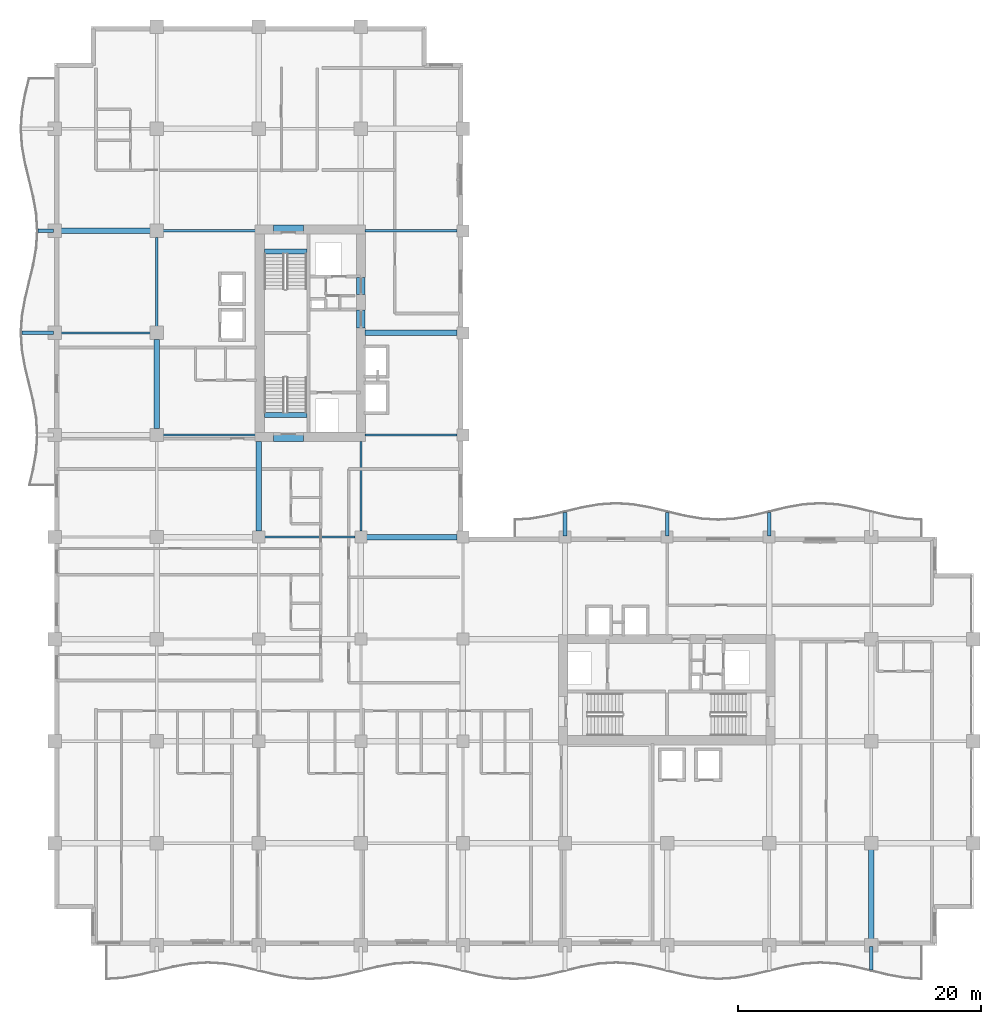
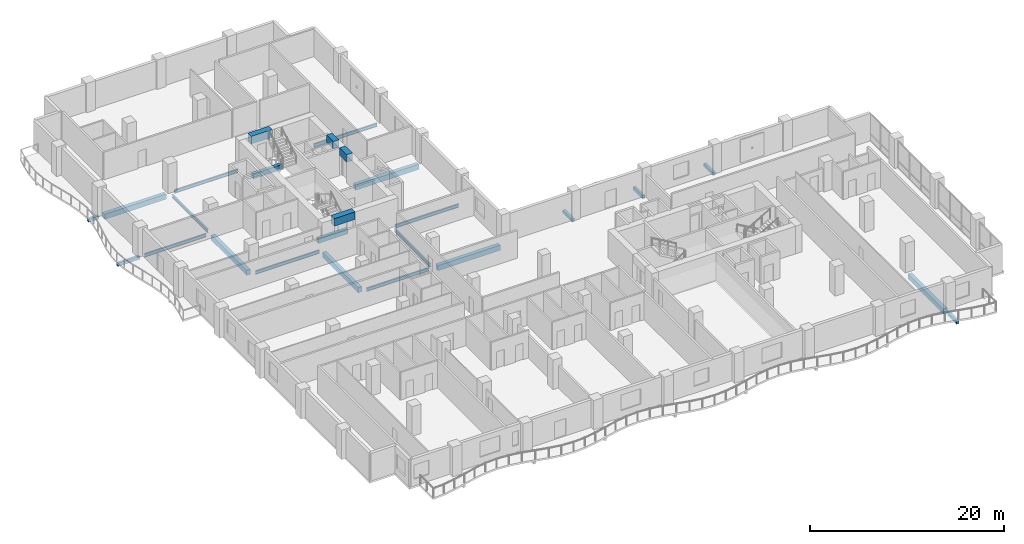
# One storey, part 2 of 22: 26 beams.
"""IFC4 building model written with IfcOpenShell, lengths in metres."""

from ifc_helpers import new_model, si_unit, direction, frame, origin, origin_2d, place, context, subcontext, project, spatial, rectangle, i_section, extrude, material, material_profile, profile_set, type_object, element, save


model = new_model("IFC4")

# Units and contexts
model_context = context("Model", 3, precision=1e-05, world=origin(), true_north=direction((0.0, 1.0)))
body_context = subcontext(model_context, "Body", "Model", "MODEL_VIEW")
ifc_project = project(units=[si_unit("LENGTHUNIT", "METRE"), si_unit("AREAUNIT", "SQUARE_METRE"), si_unit("VOLUMEUNIT", "CUBIC_METRE"), si_unit("PLANEANGLEUNIT", "RADIAN"), si_unit("MASSUNIT", "GRAM", prefix="KILO")], contexts=[model_context])

# Site, building, storey
site_placement = place(None, origin())
site = spatial("IfcSite", under=ifc_project, at=site_placement, CompositionType="ELEMENT")
building_placement = place(site_placement, origin())
building = spatial("IfcBuilding", under=site, at=building_placement, Name="Koriwani Terraces Tower", CompositionType="ELEMENT")
storey_placement = place(building_placement, frame((0.0, 0.0, 182.800048828125)))
storey = spatial("IfcBuildingStorey", under=building, at=storey_placement, Name="L44", CompositionType="ELEMENT", Elevation=182.800048828125)

# Beams
ifc_material_1 = material(Name="Concrete C40/50", Category="concrete")
ifc_material_profile_1 = material_profile(ifc_material_1, rectangle(XDim=0.300048828125, YDim=0.39990234375, at=origin_2d()), Name="Concrete C40/50", Category="LoadBearing")
ifc_profile_set_1 = profile_set([ifc_material_profile_1], Name="Concrete C40/50")
beam_type_1 = type_object("IfcBeamType", Name="BEAM_RC_BALCONY_RIB_300X400", PredefinedType="JOIST", material=ifc_profile_set_1)
beam_1_placement = place(storey_placement, frame((67.199951171875, -2.02490234375, -0.429931640625), z_axis=(0.0, 1.0, 0.0), x_axis=(-1.0, 0.0, 0.0)))
element("IfcBeam", 1, at=beam_1_placement, inside=storey, type_object=beam_type_1, Name="L44 Balcony Bracket Rib S-8", PredefinedType="JOIST", context=body_context, shape_type="SweptSolid", body=[
    extrude(rectangle(XDim=0.300048828125, YDim=0.39990234375, at=origin_2d()), origin(), (0.0, 0.0, 1.0), 1.9248046875),
])
beam_2_placement = place(storey_placement, frame((-2.699951171875, 50.39990234375, -0.429931640625), z_axis=(1.0, 0.0, 0.0), x_axis=(0.0, 1.0, 0.0)))
element("IfcBeam", 2, at=beam_2_placement, inside=storey, type_object=beam_type_1, Name="L44 Balcony Bracket Rib W-2", PredefinedType="JOIST", context=body_context, shape_type="SweptSolid", body=[
    extrude(rectangle(XDim=0.300048828125, YDim=0.39990234375, at=origin_2d()), origin(), (0.0, 0.0, 1.0), 2.599853515625),
])
beam_3_placement = place(storey_placement, frame((-1.35009765625, 58.800048828125, -0.429931640625), z_axis=(1.0, 0.0, 0.0), x_axis=(0.0, 1.0, 0.0)))
element("IfcBeam", 3, at=beam_3_placement, inside=storey, type_object=beam_type_1, Name="L44 Balcony Bracket Rib W-3", PredefinedType="JOIST", context=body_context, shape_type="SweptSolid", body=[
    extrude(rectangle(XDim=0.300048828125, YDim=0.39990234375, at=origin_2d()), origin(), (0.0, 0.0, 1.0), 1.25),
])
for number, where, z_axis, x_axis, name in (
    (4, (42.0, 33.699951171875, -0.429931640625), (0.0, 1.0, 0.0), (-1.0, 0.0, 0.0), "L44 Balcony Bracket Rib NE-1"),
    (5, (50.39990234375, 33.699951171875, -0.429931640625), (0.0, 1.0, 0.0), (-1.0, 0.0, 0.0), "L44 Balcony Bracket Rib NE-2"),
    (6, (58.800048828125, 33.699951171875, -0.429931640625), (0.0, 1.0, 0.0), (-1.0, 0.0, 0.0), "L44 Balcony Bracket Rib NE-3"),
):
    element("IfcBeam", number, at=place(storey_placement, frame(where, z_axis=z_axis, x_axis=x_axis)), inside=storey, type_object=beam_type_1, Name=name, PredefinedType="JOIST", context=body_context, shape_type="SweptSolid", body=[
        extrude(rectangle(XDim=0.300048828125, YDim=0.39990234375, at=origin_2d()), origin(), (0.0, 0.0, 1.0), 1.925048828125),
    ])
ifc_material_2 = material(Name="Concrete C60/75", Category="concrete")
ifc_material_profile_2 = material_profile(ifc_material_2, rectangle(XDim=0.699951171875, YDim=0.949951171875, at=origin_2d()), Name="Concrete C60/75", Category="LoadBearing")
ifc_profile_set_2 = profile_set([ifc_material_profile_2], Name="Concrete C60/75")
beam_type_2 = type_object("IfcBeamType", Name="BEAM_RC_COUPLING_700X950", PredefinedType="LINTEL", material=ifc_profile_set_2)
beam_4_placement = place(storey_placement, frame((25.199951171875, 50.800048828125, 2.994873046875), z_axis=(0.0, 1.0, 0.0), x_axis=(-1.0, 0.0, 0.0)))
element("IfcBeam", 7, at=beam_4_placement, inside=storey, type_object=beam_type_2, Name="L44 Core Coupling Lintel Beam WE1", PredefinedType="LINTEL", context=body_context, shape_type="SweptSolid", body=[
    extrude(rectangle(XDim=0.699951171875, YDim=0.949951171875, at=origin_2d()), origin(), (0.0, 0.0, 1.0), 1.47998046875),
])
beam_5_placement = place(storey_placement, frame((25.199951171875, 53.550048828125, 2.994873046875), z_axis=(0.0, 1.0, 0.0), x_axis=(-1.0, 0.0, 0.0)))
element("IfcBeam", 8, at=beam_5_placement, inside=storey, type_object=beam_type_2, Name="L44 Core Coupling Lintel Beam WE2", PredefinedType="LINTEL", context=body_context, shape_type="SweptSolid", body=[
    extrude(rectangle(XDim=0.699951171875, YDim=0.949951171875, at=origin_2d()), origin(), (0.0, 0.0, 1.0), 1.39990234375),
])
for number, where, z_axis, x_axis, name in (
    (9, (18.0, 41.824951171875, 2.994873046875), (1.0, 0.0, 0.0), (0.0, 1.0, 0.0), "L44 Core Coupling Lintel Beam WS"),
    (10, (18.0, 58.925048828125, 2.994873046875), (1.0, 0.0, 0.0), (0.0, 1.0, 0.0), "L44 Core Coupling Lintel Beam WN"),
):
    element("IfcBeam", number, at=place(storey_placement, frame(where, z_axis=z_axis, x_axis=x_axis)), inside=storey, type_object=beam_type_2, Name=name, PredefinedType="LINTEL", context=body_context, shape_type="SweptSolid", body=[
        extrude(rectangle(XDim=0.699951171875, YDim=0.949951171875, at=origin_2d()), origin(), (0.0, 0.0, 1.0), 2.5),
    ])
ifc_material_profile_3 = material_profile(ifc_material_1, rectangle(XDim=0.39990234375, YDim=0.60009765625, at=origin_2d()), Name="Concrete C40/50", Category="LoadBearing")
ifc_profile_set_3 = profile_set([ifc_material_profile_3], Name="Concrete C40/50")
beam_type_3 = type_object("IfcBeamType", Name="BEAM_RC_GRID_400X600", PredefinedType="BEAM", material=ifc_profile_set_3)
for number, where, z_axis, x_axis, name in (
    (11, (17.25, 43.655029296875, -0.300048828125), (1.0, 0.0, 0.0), (0.0, 1.0, 0.0), "L44 Stairwell Header Trimmer Beam ST-W1"),
    (12, (17.25, 57.094970703125, -0.300048828125), (1.0, 0.0, 0.0), (0.0, 1.0, 0.0), "L44 Stairwell Header Trimmer Beam ST-W2"),
):
    element("IfcBeam", number, at=place(storey_placement, frame(where, z_axis=z_axis, x_axis=x_axis)), inside=storey, type_object=beam_type_3, Name=name, PredefinedType="BEAM", context=body_context, shape_type="SweptSolid", body=[
        extrude(rectangle(XDim=0.39990234375, YDim=0.60009765625, at=origin_2d()), origin(), (0.0, 0.0, 1.0), 3.5),
    ])
ifc_material_3 = material(Name="Concrete C50/60", Category="concrete")
ifc_material_profile_4 = material_profile(ifc_material_3, rectangle(XDim=0.449951171875, YDim=0.64990234375, at=origin_2d()), Name="Concrete C50/60", Category="LoadBearing")
ifc_profile_set_4 = profile_set([ifc_material_profile_4], Name="Concrete C50/60")
beam_type_4 = type_object("IfcBeamType", Name="BEAM_RC_GRID_450X650", PredefinedType="BEAM", material=ifc_profile_set_4)
beam_6_placement = place(storey_placement, frame((25.679931640625, 33.60009765625, -0.554931640625), z_axis=(1.0, 0.0, 0.0), x_axis=(0.0, 1.0, 0.0)))
element("IfcBeam", 13, at=beam_6_placement, inside=storey, type_object=beam_type_4, Name="L44 Grid Beam E (25.2-33.6m)", PredefinedType="BEAM", context=body_context, shape_type="SweptSolid", body=[
    extrude(rectangle(XDim=0.449951171875, YDim=0.64990234375, at=origin_2d()), origin(), (0.0, 0.0, 1.0), 7.440185546875),
])
beam_7_placement = place(storey_placement, frame((25.554931640625, 50.39990234375, -0.554931640625), z_axis=(1.0, 0.0, 0.0), x_axis=(0.0, 1.0, 0.0)))
element("IfcBeam", 14, at=beam_7_placement, inside=storey, type_object=beam_type_4, Name="L44 Grid Beam G (25.2-33.6m)", PredefinedType="BEAM", context=body_context, shape_type="SweptSolid", body=[
    extrude(rectangle(XDim=0.449951171875, YDim=0.64990234375, at=origin_2d()), origin(), (0.0, 0.0, 1.0), 7.565185546875),
])
for number, where, z_axis, x_axis, name in (
    (15, (0.530029296875, 58.800048828125, -0.554931640625), (1.0, 0.0, 0.0), (0.0, 1.0, 0.0), "L44 Grid Beam H (0.0-8.4m)"),
    (16, (8.39990234375, 42.530029296875, -0.554931640625), (0.0, 1.0, 0.0), (-1.0, 0.0, 0.0), "L44 Grid Beam 2 (42.0-50.4m)"),
):
    element("IfcBeam", number, at=place(storey_placement, frame(where, z_axis=z_axis, x_axis=x_axis)), inside=storey, type_object=beam_type_4, Name=name, PredefinedType="BEAM", context=body_context, shape_type="SweptSolid", body=[
        extrude(rectangle(XDim=0.449951171875, YDim=0.64990234375, at=origin_2d()), origin(), (0.0, 0.0, 1.0), 7.340087890625),
    ])
beam_8_placement = place(storey_placement, frame((16.800048828125, 34.080078125, -0.554931640625), z_axis=(0.0, 1.0, 0.0), x_axis=(-1.0, 0.0, 0.0)))
element("IfcBeam", 17, at=beam_8_placement, inside=storey, type_object=beam_type_4, Name="L44 Grid Beam 3 (33.6-42.0m)", PredefinedType="BEAM", context=body_context, shape_type="SweptSolid", body=[
    extrude(rectangle(XDim=0.449951171875, YDim=0.64990234375, at=origin_2d()), origin(), (0.0, 0.0, 1.0), 7.389892578125),
])
beam_9_placement = place(storey_placement, frame((67.199951171875, 0.530029296875, -0.554931640625), z_axis=(0.0, 1.0, 0.0), x_axis=(-1.0, 0.0, 0.0)))
element("IfcBeam", 18, at=beam_9_placement, inside=storey, type_object=beam_type_4, Name="L44 Grid Beam 9 (0.0-8.4m)", PredefinedType="BEAM", context=body_context, shape_type="SweptSolid", body=[
    extrude(rectangle(XDim=0.449951171875, YDim=0.64990234375, at=origin_2d()), origin(), (0.0, 0.0, 1.0), 7.340087890625),
])
ifc_material_4 = material(Name="Steel ASTM A572 Grade 50", Category="steel")
ifc_material_profile_5 = material_profile(ifc_material_4, i_section(OverallWidth=0.180908203125, OverallDepth=0.4169921875, WebThickness=0.010986328125, FlangeThickness=0.018310546875, at=origin_2d()), Name="Steel ASTM A572 Grade 50", Category="LoadBearing")
ifc_profile_set_5 = profile_set([ifc_material_profile_5], Name="Steel ASTM A572 Grade 50")
beam_type_5 = type_object("IfcBeamType", Name="STEEL_BEAM_W410X85", PredefinedType="JOIST", material=ifc_profile_set_5)
beam_10_placement = place(storey_placement, frame((17.280029296875, 33.60009765625, -0.4384765625), z_axis=(1.0, 0.0, 0.0), x_axis=(0.0, 1.0, 0.0)))
element("IfcBeam", 19, at=beam_10_placement, inside=storey, type_object=beam_type_5, Name="L44 Grid Beam E (16.8-25.2m)", PredefinedType="JOIST", context=body_context, shape_type="SweptSolid", body=[
    extrude(i_section(OverallWidth=0.180908203125, OverallDepth=0.4169921875, WebThickness=0.010986328125, FlangeThickness=0.018310546875, at=origin_2d()), origin(), (0.0, 0.0, 1.0), 7.43994140625),
])
beam_11_placement = place(storey_placement, frame((8.929931640625, 42.0, -0.4384765625), z_axis=(1.0, 0.0, 0.0), x_axis=(0.0, 1.0, 0.0)))
element("IfcBeam", 20, at=beam_11_placement, inside=storey, type_object=beam_type_5, Name="L44 Grid Beam F (8.4-16.8m)", PredefinedType="JOIST", context=body_context, shape_type="SweptSolid", body=[
    extrude(i_section(OverallWidth=0.180908203125, OverallDepth=0.4169921875, WebThickness=0.010986328125, FlangeThickness=0.018310546875, at=origin_2d()), origin(), (0.0, 0.0, 1.0), 7.590087890625),
])
beam_12_placement = place(storey_placement, frame((25.554931640625, 42.0, -0.4384765625), z_axis=(1.0, 0.0, 0.0), x_axis=(0.0, 1.0, 0.0)))
element("IfcBeam", 21, at=beam_12_placement, inside=storey, type_object=beam_type_5, Name="L44 Grid Beam F (25.2-33.6m)", PredefinedType="JOIST", context=body_context, shape_type="SweptSolid", body=[
    extrude(i_section(OverallWidth=0.180908203125, OverallDepth=0.4169921875, WebThickness=0.010986328125, FlangeThickness=0.018310546875, at=origin_2d()), origin(), (0.0, 0.0, 1.0), 7.565185546875),
])
beam_13_placement = place(storey_placement, frame((0.530029296875, 50.39990234375, -0.4384765625), z_axis=(1.0, 0.0, 0.0), x_axis=(0.0, 1.0, 0.0)))
element("IfcBeam", 22, at=beam_13_placement, inside=storey, type_object=beam_type_5, Name="L44 Grid Beam G (0.0-8.4m)", PredefinedType="JOIST", context=body_context, shape_type="SweptSolid", body=[
    extrude(i_section(OverallWidth=0.180908203125, OverallDepth=0.4169921875, WebThickness=0.010986328125, FlangeThickness=0.018310546875, at=origin_2d()), origin(), (0.0, 0.0, 1.0), 7.340087890625),
])
beam_14_placement = place(storey_placement, frame((8.929931640625, 58.800048828125, -0.4384765625), z_axis=(1.0, 0.0, 0.0), x_axis=(0.0, 1.0, 0.0)))
element("IfcBeam", 23, at=beam_14_placement, inside=storey, type_object=beam_type_5, Name="L44 Grid Beam H (8.4-16.8m)", PredefinedType="JOIST", context=body_context, shape_type="SweptSolid", body=[
    extrude(i_section(OverallWidth=0.180908203125, OverallDepth=0.4169921875, WebThickness=0.010986328125, FlangeThickness=0.018310546875, at=origin_2d()), origin(), (0.0, 0.0, 1.0), 7.590087890625),
])
beam_15_placement = place(storey_placement, frame((25.554931640625, 58.800048828125, -0.4384765625), z_axis=(1.0, 0.0, 0.0), x_axis=(0.0, 1.0, 0.0)))
element("IfcBeam", 24, at=beam_15_placement, inside=storey, type_object=beam_type_5, Name="L44 Grid Beam H (25.2-33.6m)", PredefinedType="JOIST", context=body_context, shape_type="SweptSolid", body=[
    extrude(i_section(OverallWidth=0.180908203125, OverallDepth=0.4169921875, WebThickness=0.010986328125, FlangeThickness=0.018310546875, at=origin_2d()), origin(), (0.0, 0.0, 1.0), 7.565185546875),
])
beam_16_placement = place(storey_placement, frame((8.39990234375, 50.929931640625, -0.4384765625), z_axis=(0.0, 1.0, 0.0), x_axis=(-1.0, 0.0, 0.0)))
element("IfcBeam", 25, at=beam_16_placement, inside=storey, type_object=beam_type_5, Name="L44 Grid Beam 2 (50.4-58.8m)", PredefinedType="JOIST", context=body_context, shape_type="SweptSolid", body=[
    extrude(i_section(OverallWidth=0.180908203125, OverallDepth=0.4169921875, WebThickness=0.010986328125, FlangeThickness=0.018310546875, at=origin_2d()), origin(), (0.0, 0.0, 1.0), 7.340087890625),
])
beam_17_placement = place(storey_placement, frame((25.199951171875, 34.080078125, -0.4384765625), z_axis=(0.0, 1.0, 0.0), x_axis=(-1.0, 0.0, 0.0)))
element("IfcBeam", 26, at=beam_17_placement, inside=storey, type_object=beam_type_5, Name="L44 Grid Beam 4 (33.6-42.0m)", PredefinedType="JOIST", context=body_context, shape_type="SweptSolid", body=[
    extrude(i_section(OverallWidth=0.180908203125, OverallDepth=0.4169921875, WebThickness=0.010986328125, FlangeThickness=0.018310546875, at=origin_2d()), origin(), (0.0, 0.0, 1.0), 7.389892578125),
])

save(model, "model.ifc")
